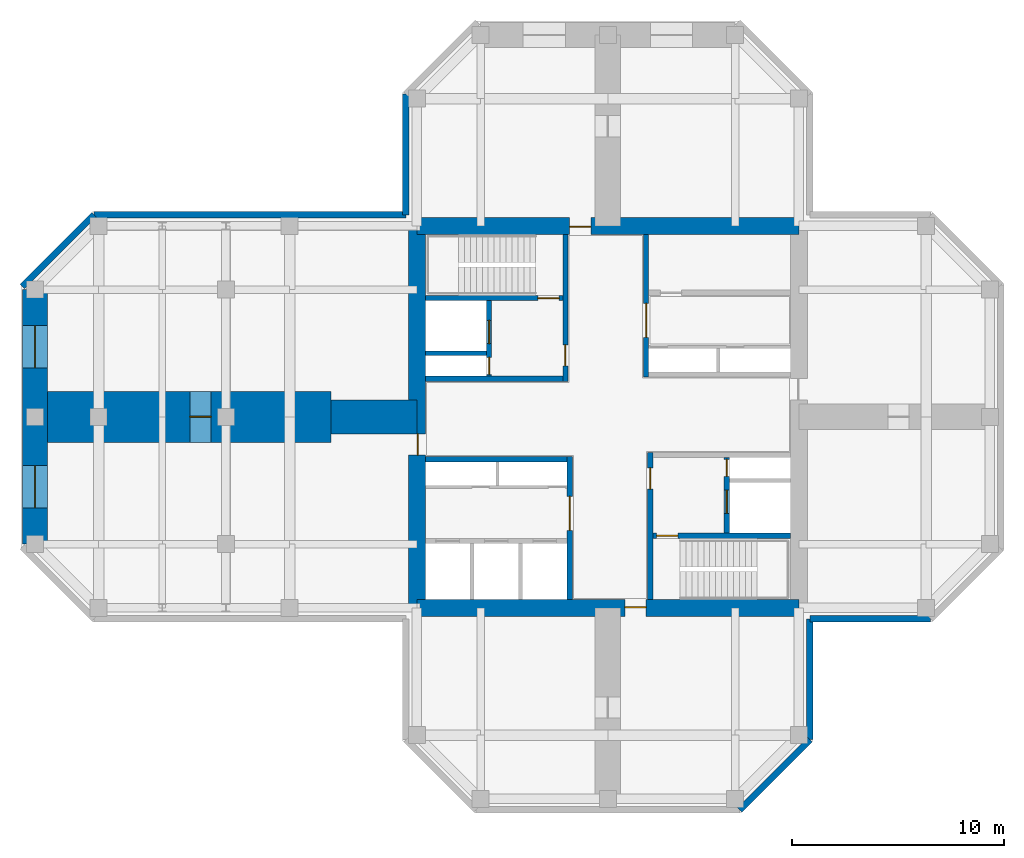
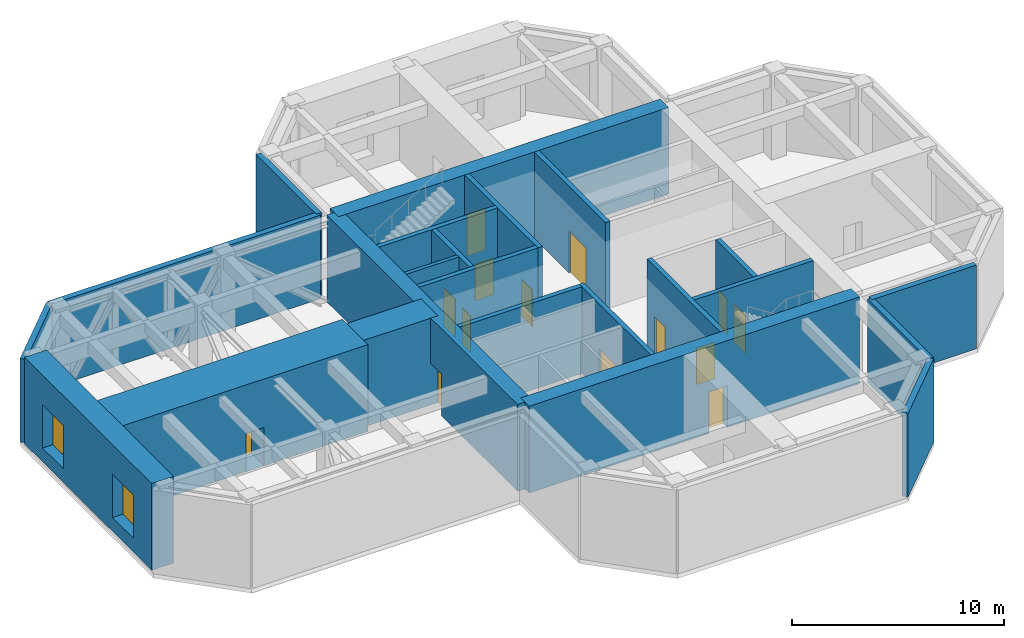
# One storey, part 4 of 6: 23 walls, 14 doors, 2 windows, 16 openings.
"""IFC4 building model written with IfcOpenShell, lengths in metres."""

from ifc_helpers import new_model, si_unit, direction, frame, frame_2d, origin, place, context, subcontext, project, spatial, rectangle, hollow_rectangle, extrude, material, layer, layer_set, constituent, constituent_set, type_object, element, fill, save


model = new_model("IFC4")

# Units and contexts
model_context = context("Model", 3, precision=1e-05, world=origin(), true_north=direction((0.0, 1.0)))
body_context = subcontext(model_context, "Body", "Model", "MODEL_VIEW")
ifc_project = project(units=[si_unit("LENGTHUNIT", "METRE"), si_unit("AREAUNIT", "SQUARE_METRE"), si_unit("VOLUMEUNIT", "CUBIC_METRE"), si_unit("PLANEANGLEUNIT", "RADIAN"), si_unit("MASSUNIT", "GRAM", prefix="KILO")], contexts=[model_context])

# Site, building, storey
site_placement = place(None, origin())
site = spatial("IfcSite", under=ifc_project, at=site_placement, CompositionType="ELEMENT")
building_placement = place(site_placement, origin())
building = spatial("IfcBuilding", under=site, at=building_placement, Name="Torre Cruceta", CompositionType="ELEMENT")
storey_placement = place(building_placement, frame((0.0, 0.0, 252.699951171875)))
storey = spatial("IfcBuildingStorey", under=building, at=storey_placement, Name="L65", CompositionType="ELEMENT", Elevation=252.699951171875)

# Wall, opening, door
ifc_material_1 = material(Name="Concrete G60 (fck 60 MPa)", Category="concrete")
ifc_layer_1 = layer(ifc_material_1, 0.25)
ifc_layer_set_1 = layer_set([ifc_layer_1], Name="Concrete G60 (fck 60 MPa)")
wall_type_1 = type_object("IfcWallType", Name="CORE INNER WALL 250 G60", PredefinedType="SHEAR", material=ifc_layer_set_1)
wall_1_placement = place(storey_placement, frame((1.800048828125, 1.875, 0.0), z_axis=(0.0, 0.0, 1.0), x_axis=(0.0, 1.0, 0.0)))
wall_1 = element("IfcWall", 1, at=wall_1_placement, inside=storey, type_object=wall_type_1, Name="CW4 L65 NE-CU", PredefinedType="SHEAR", context=body_context, shape_type="SweptSolid", body=[
    extrude(rectangle(XDim=6.72509765625, YDim=0.25, at=frame_2d((3.362548828125, 0.0))), origin(), (0.0, 0.0, 1.0), 5.0),
])
opening_1_placement = place(wall_1_placement, frame((1.875, 0.0, 0.0)))
opening_1 = element("IfcOpeningElement", 2, at=opening_1_placement, cuts=wall_1, Name="Opening D15", PredefinedType="OPENING", context=body_context, shape_type="SweptSolid", body=[
    extrude(rectangle(XDim=1.60009765625, YDim=2.39990234375, at=frame_2d((0.800048828125, 1.199951171875))), frame((0.0, 0.135009765625, 0.0), z_axis=(0.0, -1.0, 0.0), x_axis=(1.0, 0.0, 0.0)), (0.0, 0.0, 1.0), 0.27001953125),
])
ifc_material_2 = material(Name="Steel DX51D", Category="steel")
ifc_constituent_1 = constituent(ifc_material_2, Name="Leaf and frame")
ifc_material_3 = material(Name="Polyester powder coating", Category="paint")
ifc_constituent_2 = constituent(ifc_material_3, Name="Finish")
ifc_constituent_set_1 = constituent_set(constituents=[ifc_constituent_1, ifc_constituent_2], Name="Steel fire door")
door_type_1 = type_object("IfcDoorType", Name="CORE ROOM DOUBLE DOOR 1600X2400", OperationType="DOUBLE_DOOR_SINGLE_SWING", PredefinedType="DOOR", material=ifc_constituent_set_1)
door_1_placement = place(opening_1_placement, frame((1.60009765625, 0.0, 0.0), z_axis=(0.0, 0.0, 1.0), x_axis=(-1.0, 0.0, 0.0)))
door_1 = element("IfcDoor", 3, at=door_1_placement, inside=storey, type_object=door_type_1, Name="D15 L65 NE-LOBBY", OperationType="DOUBLE_DOOR_SINGLE_SWING", OverallHeight=2.39990234375, OverallWidth=1.60009765625, PredefinedType="DOOR", context=body_context, shape_type="SweptSolid", body=[
    extrude(rectangle(XDim=1.60009765625, YDim=2.39990234375, at=frame_2d((0.800048828125, 1.199951171875))), frame((0.0, 0.025146484375, 0.0), z_axis=(0.0, -1.0, 0.0), x_axis=(1.0, 0.0, 0.0)), (0.0, 0.0, 1.0), 0.050048828125),
])
fill(opening_1, door_1)

wall_2_placement = place(storey_placement, frame((-2.0, 1.675048828125, 0.0), z_axis=(0.0, 0.0, 1.0), x_axis=(0.0, 1.0, 0.0)))
wall_2 = element("IfcWall", 4, at=wall_2_placement, inside=storey, type_object=wall_type_1, Name="CW4 L65 NW-CU", PredefinedType="SHEAR", context=body_context, shape_type="SweptSolid", body=[
    extrude(rectangle(XDim=6.925048828125, YDim=0.25, at=frame_2d((3.46240234375, 0.0))), origin(), (0.0, 0.0, 1.0), 5.0),
])
opening_2_placement = place(wall_2_placement, frame((0.72509765625, 0.0, 0.0)))
opening_2 = element("IfcOpeningElement", 5, at=opening_2_placement, cuts=wall_2, Name="Opening D3", PredefinedType="OPENING", context=body_context, shape_type="SweptSolid", body=[
    extrude(rectangle(XDim=1.0, YDim=2.10009765625, at=frame_2d((0.5, 1.050048828125))), frame((0.0, 0.135009765625, 0.0), z_axis=(0.0, -1.0, 0.0), x_axis=(1.0, 0.0, 0.0)), (0.0, 0.0, 1.0), 0.27001953125),
])
ifc_material_4 = material(Name="Steel DX51D", Category="steel")
ifc_constituent_3 = constituent(ifc_material_4, Name="Leaf and frame")
ifc_material_5 = material(Name="Polyester powder coating", Category="paint")
ifc_constituent_4 = constituent(ifc_material_5, Name="Finish")
ifc_constituent_set_2 = constituent_set(constituents=[ifc_constituent_3, ifc_constituent_4], Name="Steel fire door")
door_type_2 = type_object("IfcDoorType", Name="FIRE DOOR 1000X2100", OperationType="SINGLE_SWING_LEFT", PredefinedType="DOOR", material=ifc_constituent_set_2)
door_2_placement = place(opening_2_placement, origin())
door_2 = element("IfcDoor", 6, at=door_2_placement, inside=storey, type_object=door_type_2, Name="D3 L65 NW-LOBBY", OperationType="SINGLE_SWING_LEFT", OverallHeight=2.10009765625, OverallWidth=1.0, PredefinedType="DOOR", context=body_context, shape_type="SweptSolid", body=[
    extrude(rectangle(XDim=1.0, YDim=2.10009765625, at=frame_2d((0.5, 1.050048828125))), frame((0.0, 0.02490234375, 0.0), z_axis=(0.0, -1.0, 0.0), x_axis=(1.0, 0.0, 0.0)), (0.0, 0.0, 1.0), 0.050048828125),
])
fill(opening_2, door_2)

# Wall
wall_3_placement = place(storey_placement, frame((-2.125, 1.800048828125, 0.0), z_axis=(0.0, 0.0, 1.0), x_axis=(-1.0, 0.0, 0.0)))
element("IfcWall", 7, at=wall_3_placement, inside=storey, type_object=wall_type_1, Name="CW4 L65 NW-CV", PredefinedType="SHEAR", context=body_context, shape_type="SweptSolid", body=[
    extrude(rectangle(XDim=6.47509765625, YDim=0.25, at=frame_2d((3.237548828125, 0.0))), origin(), (0.0, 0.0, 1.0), 5.0),
])

# Wall, opening, door
wall_4_placement = place(storey_placement, frame((-2.125, 5.60009765625, 0.0), z_axis=(0.0, 0.0, 1.0), x_axis=(-1.0, 0.0, 0.0)))
wall_4 = element("IfcWall", 8, at=wall_4_placement, inside=storey, type_object=wall_type_1, Name="CW4 L65 NW-SV", PredefinedType="SHEAR", context=body_context, shape_type="SweptSolid", body=[
    extrude(rectangle(XDim=6.47509765625, YDim=0.25, at=frame_2d((3.237548828125, 0.0))), origin(), (0.0, 0.0, 1.0), 5.0),
])
opening_3_placement = place(wall_4_placement, frame((0.175048828125, 0.0, 0.0)))
opening_3 = element("IfcOpeningElement", 9, at=opening_3_placement, cuts=wall_4, Name="Opening D3", PredefinedType="OPENING", context=body_context, shape_type="SweptSolid", body=[
    extrude(rectangle(XDim=1.0, YDim=2.10009765625, at=frame_2d((0.5, 1.050048828125))), frame((0.0, 0.135009765625, 0.0), z_axis=(0.0, -1.0, 0.0), x_axis=(1.0, 0.0, 0.0)), (0.0, 0.0, 1.0), 0.27001953125),
])
door_3_placement = place(opening_3_placement, frame((1.0, 0.0, 0.0), z_axis=(0.0, 0.0, 1.0), x_axis=(-1.0, 0.0, 0.0)))
door_3 = element("IfcDoor", 10, at=door_3_placement, inside=storey, type_object=door_type_2, Name="D3 L65 NW-STAIR", OperationType="SINGLE_SWING_RIGHT", OverallHeight=2.10009765625, OverallWidth=1.0, PredefinedType="DOOR", context=body_context, shape_type="SweptSolid", body=[
    extrude(rectangle(XDim=1.0, YDim=2.10009765625, at=frame_2d((0.5, 1.050048828125))), frame((0.0, 0.025146484375, 0.0), z_axis=(0.0, -1.0, 0.0), x_axis=(1.0, 0.0, 0.0)), (0.0, 0.0, 1.0), 0.050048828125),
])
fill(opening_3, door_3)

# Wall, openings, doors
wall_5_placement = place(storey_placement, frame((-5.60009765625, 1.925048828125, 0.0), z_axis=(0.0, 0.0, 1.0), x_axis=(0.0, 1.0, 0.0)))
wall_5 = element("IfcWall", 11, at=wall_5_placement, inside=storey, type_object=wall_type_1, Name="CW4 L65 NW-FU", PredefinedType="SHEAR", context=body_context, shape_type="SweptSolid", body=[
    extrude(rectangle(XDim=3.550048828125, YDim=0.25, at=frame_2d((1.77490234375, 0.0))), origin(), (0.0, 0.0, 1.0), 5.0),
])
opening_4_placement = place(wall_5_placement, frame((1.52490234375, 0.0, 0.0)))
opening_4 = element("IfcOpeningElement", 12, at=opening_4_placement, cuts=wall_5, Name="Opening LD1", PredefinedType="OPENING", context=body_context, shape_type="SweptSolid", body=[
    extrude(rectangle(XDim=1.10009765625, YDim=2.199951171875, at=frame_2d((0.550048828125, 1.10009765625))), frame((0.0, 0.135009765625, 0.0), z_axis=(0.0, -1.0, 0.0), x_axis=(1.0, 0.0, 0.0)), (0.0, 0.0, 1.0), 0.27001953125),
])
opening_5_placement = place(wall_5_placement, frame((0.074951171875, 0.0, 0.0)))
opening_5 = element("IfcOpeningElement", 13, at=opening_5_placement, cuts=wall_5, Name="Opening D5", PredefinedType="OPENING", context=body_context, shape_type="SweptSolid", body=[
    extrude(rectangle(XDim=0.800048828125, YDim=2.10009765625, at=frame_2d((0.39990234375, 1.050048828125))), frame((0.0, 0.135009765625, 0.0), z_axis=(0.0, -1.0, 0.0), x_axis=(1.0, 0.0, 0.0)), (0.0, 0.0, 1.0), 0.27001953125),
])
ifc_material_6 = material(Name="Stainless steel 1.4401", Category="steel")
door_type_3 = type_object("IfcDoorType", Name="LIFT LANDING DOOR 1100X2200", OperationType="DOUBLE_DOOR_SLIDING", PredefinedType="DOOR", material=ifc_material_6)
door_4_placement = place(opening_4_placement, origin())
door_4 = element("IfcDoor", 14, at=door_4_placement, inside=storey, type_object=door_type_3, Name="Lift landing door FL1", OperationType="DOUBLE_DOOR_SLIDING", OverallHeight=2.199951171875, OverallWidth=1.10009765625, PredefinedType="DOOR", context=body_context, shape_type="SweptSolid", body=[
    extrude(rectangle(XDim=1.10009765625, YDim=2.199951171875, at=frame_2d((0.550048828125, 1.10009765625))), frame((0.0, 0.02490234375, 0.0), z_axis=(0.0, -1.0, 0.0), x_axis=(1.0, 0.0, 0.0)), (0.0, 0.0, 1.0), 0.050048828125),
])
fill(opening_4, door_4)
ifc_material_7 = material(Name="Steel DX51D", Category="steel")
ifc_constituent_5 = constituent(ifc_material_7, Name="Leaf and frame")
ifc_material_8 = material(Name="Polyester powder coating", Category="paint")
ifc_constituent_6 = constituent(ifc_material_8, Name="Finish")
ifc_constituent_set_3 = constituent_set(constituents=[ifc_constituent_5, ifc_constituent_6], Name="Steel fire door")
door_type_4 = type_object("IfcDoorType", Name="RISER ACCESS DOOR 800X2100", OperationType="SINGLE_SWING_LEFT", PredefinedType="DOOR", material=ifc_constituent_set_3)
door_5_placement = place(opening_5_placement, origin())
door_5 = element("IfcDoor", 15, at=door_5_placement, inside=storey, type_object=door_type_4, Name="D5 L65 NW-RISER", OperationType="SINGLE_SWING_LEFT", OverallHeight=2.10009765625, OverallWidth=0.800048828125, PredefinedType="DOOR", context=body_context, shape_type="SweptSolid", body=[
    extrude(rectangle(XDim=0.800048828125, YDim=2.10009765625, at=frame_2d((0.39990234375, 1.050048828125))), frame((0.0, 0.02490234375, 0.0), z_axis=(0.0, -1.0, 0.0), x_axis=(1.0, 0.0, 0.0)), (0.0, 0.0, 1.0), 0.050048828125),
])
fill(opening_5, door_5)

# Wall, opening, door
wall_6_placement = place(storey_placement, frame((-1.800048828125, -1.875, 0.0), z_axis=(0.0, 0.0, 1.0), x_axis=(0.0, -1.0, 0.0)))
wall_6 = element("IfcWall", 16, at=wall_6_placement, inside=storey, type_object=wall_type_1, Name="CW4 L65 SW-CU", PredefinedType="SHEAR", context=body_context, shape_type="SweptSolid", body=[
    extrude(rectangle(XDim=6.72509765625, YDim=0.25, at=frame_2d((3.362548828125, 0.0))), origin(), (0.0, 0.0, 1.0), 5.0),
])
opening_6_placement = place(wall_6_placement, frame((1.875, 0.0, 0.0)))
opening_6 = element("IfcOpeningElement", 17, at=opening_6_placement, cuts=wall_6, Name="Opening D8", PredefinedType="OPENING", context=body_context, shape_type="SweptSolid", body=[
    extrude(rectangle(XDim=1.60009765625, YDim=2.39990234375, at=frame_2d((0.800048828125, 1.199951171875))), frame((0.0, 0.135009765625, 0.0), z_axis=(0.0, -1.0, 0.0), x_axis=(1.0, 0.0, 0.0)), (0.0, 0.0, 1.0), 0.27001953125),
])
ifc_material_9 = material(Name="Steel DX51D", Category="steel")
ifc_constituent_7 = constituent(ifc_material_9, Name="Leaf and frame")
ifc_material_10 = material(Name="Polyester powder coating", Category="paint")
ifc_constituent_8 = constituent(ifc_material_10, Name="Finish")
ifc_material_11 = material(Name="Fire-resisting glass", Category="glass")
ifc_constituent_9 = constituent(ifc_material_11, Name="Vision panel")
ifc_constituent_set_4 = constituent_set(constituents=[ifc_constituent_7, ifc_constituent_8, ifc_constituent_9], Name="Steel fire door with vision panels")
door_type_5 = type_object("IfcDoorType", Name="LIFT LOBBY DOUBLE DOOR 1600X2400", OperationType="DOUBLE_DOOR_DOUBLE_SWING", PredefinedType="DOOR", material=ifc_constituent_set_4)
door_6_placement = place(opening_6_placement, origin())
door_6 = element("IfcDoor", 18, at=door_6_placement, inside=storey, type_object=door_type_5, Name="D8 L65 SW-LOBBY", OperationType="DOUBLE_DOOR_DOUBLE_SWING", OverallHeight=2.39990234375, OverallWidth=1.60009765625, PredefinedType="DOOR", context=body_context, shape_type="SweptSolid", body=[
    extrude(rectangle(XDim=1.60009765625, YDim=2.39990234375, at=frame_2d((0.800048828125, 1.199951171875))), frame((0.0, 0.02490234375, 0.0), z_axis=(0.0, -1.0, 0.0), x_axis=(1.0, 0.0, 0.0)), (0.0, 0.0, 1.0), 0.050048828125),
])
fill(opening_6, door_6)

# Wall
wall_7_placement = place(storey_placement, frame((-1.925048828125, -2.0, 0.0), z_axis=(0.0, 0.0, 1.0), x_axis=(-1.0, 0.0, 0.0)))
element("IfcWall", 19, at=wall_7_placement, inside=storey, type_object=wall_type_1, Name="CW4 L65 SW-CV", PredefinedType="SHEAR", context=body_context, shape_type="SweptSolid", body=[
    extrude(rectangle(XDim=6.675048828125, YDim=0.25, at=frame_2d((3.33740234375, 0.0))), origin(), (0.0, 0.0, 1.0), 5.0),
])

# Wall, opening, door
wall_8_placement = place(storey_placement, frame((2.0, -1.675048828125, 0.0), z_axis=(0.0, 0.0, 1.0), x_axis=(0.0, -1.0, 0.0)))
wall_8 = element("IfcWall", 20, at=wall_8_placement, inside=storey, type_object=wall_type_1, Name="CW4 L65 SE-CU", PredefinedType="SHEAR", context=body_context, shape_type="SweptSolid", body=[
    extrude(rectangle(XDim=6.925048828125, YDim=0.25, at=frame_2d((3.46240234375, 0.0))), origin(), (0.0, 0.0, 1.0), 5.0),
])
opening_7_placement = place(wall_8_placement, frame((0.72509765625, 0.0, 0.0)))
opening_7 = element("IfcOpeningElement", 21, at=opening_7_placement, cuts=wall_8, Name="Opening D3", PredefinedType="OPENING", context=body_context, shape_type="SweptSolid", body=[
    extrude(rectangle(XDim=1.0, YDim=2.10009765625, at=frame_2d((0.5, 1.050048828125))), frame((0.0, 0.135009765625, 0.0), z_axis=(0.0, -1.0, 0.0), x_axis=(1.0, 0.0, 0.0)), (0.0, 0.0, 1.0), 0.27001953125),
])
door_7_placement = place(opening_7_placement, origin())
door_7 = element("IfcDoor", 22, at=door_7_placement, inside=storey, type_object=door_type_2, Name="D3 L65 SE-LOBBY", OperationType="SINGLE_SWING_LEFT", OverallHeight=2.10009765625, OverallWidth=1.0, PredefinedType="DOOR", context=body_context, shape_type="SweptSolid", body=[
    extrude(rectangle(XDim=1.0, YDim=2.10009765625, at=frame_2d((0.5, 1.050048828125))), frame((0.0, 0.02490234375, 0.0), z_axis=(0.0, -1.0, 0.0), x_axis=(1.0, 0.0, 0.0)), (0.0, 0.0, 1.0), 0.050048828125),
])
fill(opening_7, door_7)

wall_9_placement = place(storey_placement, frame((2.125, -5.60009765625, 0.0), z_axis=(0.0, 0.0, 1.0), x_axis=(1.0, 0.0, 0.0)))
wall_9 = element("IfcWall", 23, at=wall_9_placement, inside=storey, type_object=wall_type_1, Name="CW4 L65 SE-SV", PredefinedType="SHEAR", context=body_context, shape_type="SweptSolid", body=[
    extrude(rectangle(XDim=6.47509765625, YDim=0.25, at=frame_2d((3.237548828125, 0.0))), origin(), (0.0, 0.0, 1.0), 5.0),
])
opening_8_placement = place(wall_9_placement, frame((0.175048828125, 0.0, 0.0)))
opening_8 = element("IfcOpeningElement", 24, at=opening_8_placement, cuts=wall_9, Name="Opening D3", PredefinedType="OPENING", context=body_context, shape_type="SweptSolid", body=[
    extrude(rectangle(XDim=1.0, YDim=2.10009765625, at=frame_2d((0.5, 1.050048828125))), frame((0.0, 0.135009765625, 0.0), z_axis=(0.0, -1.0, 0.0), x_axis=(1.0, 0.0, 0.0)), (0.0, 0.0, 1.0), 0.27001953125),
])
door_8_placement = place(opening_8_placement, frame((1.0, 0.0, 0.0), z_axis=(0.0, 0.0, 1.0), x_axis=(-1.0, 0.0, 0.0)))
door_8 = element("IfcDoor", 25, at=door_8_placement, inside=storey, type_object=door_type_2, Name="D3 L65 SE-STAIR", OperationType="SINGLE_SWING_RIGHT", OverallHeight=2.10009765625, OverallWidth=1.0, PredefinedType="DOOR", context=body_context, shape_type="SweptSolid", body=[
    extrude(rectangle(XDim=1.0, YDim=2.10009765625, at=frame_2d((0.5, 1.050048828125))), frame((0.0, 0.025146484375, 0.0), z_axis=(0.0, -1.0, 0.0), x_axis=(1.0, 0.0, 0.0)), (0.0, 0.0, 1.0), 0.050048828125),
])
fill(opening_8, door_8)

# Wall, openings, doors
wall_10_placement = place(storey_placement, frame((5.60009765625, -1.925048828125, 0.0), z_axis=(0.0, 0.0, 1.0), x_axis=(0.0, -1.0, 0.0)))
wall_10 = element("IfcWall", 26, at=wall_10_placement, inside=storey, type_object=wall_type_1, Name="CW4 L65 SE-FU", PredefinedType="SHEAR", context=body_context, shape_type="SweptSolid", body=[
    extrude(rectangle(XDim=3.550048828125, YDim=0.25, at=frame_2d((1.77490234375, 0.0))), origin(), (0.0, 0.0, 1.0), 5.0),
])
opening_9_placement = place(wall_10_placement, frame((1.52490234375, 0.0, 0.0)))
opening_9 = element("IfcOpeningElement", 27, at=opening_9_placement, cuts=wall_10, Name="Opening LD1", PredefinedType="OPENING", context=body_context, shape_type="SweptSolid", body=[
    extrude(rectangle(XDim=1.10009765625, YDim=2.199951171875, at=frame_2d((0.550048828125, 1.10009765625))), frame((0.0, 0.135009765625, 0.0), z_axis=(0.0, -1.0, 0.0), x_axis=(1.0, 0.0, 0.0)), (0.0, 0.0, 1.0), 0.27001953125),
])
opening_10_placement = place(wall_10_placement, frame((0.074951171875, 0.0, 0.0)))
opening_10 = element("IfcOpeningElement", 28, at=opening_10_placement, cuts=wall_10, Name="Opening D5", PredefinedType="OPENING", context=body_context, shape_type="SweptSolid", body=[
    extrude(rectangle(XDim=0.800048828125, YDim=2.10009765625, at=frame_2d((0.39990234375, 1.050048828125))), frame((0.0, 0.135009765625, 0.0), z_axis=(0.0, -1.0, 0.0), x_axis=(1.0, 0.0, 0.0)), (0.0, 0.0, 1.0), 0.27001953125),
])
door_9_placement = place(opening_9_placement, origin())
door_9 = element("IfcDoor", 29, at=door_9_placement, inside=storey, type_object=door_type_3, Name="Lift landing door FL2", OperationType="DOUBLE_DOOR_SLIDING", OverallHeight=2.199951171875, OverallWidth=1.10009765625, PredefinedType="DOOR", context=body_context, shape_type="SweptSolid", body=[
    extrude(rectangle(XDim=1.10009765625, YDim=2.199951171875, at=frame_2d((0.550048828125, 1.10009765625))), frame((0.0, 0.02490234375, 0.0), z_axis=(0.0, -1.0, 0.0), x_axis=(1.0, 0.0, 0.0)), (0.0, 0.0, 1.0), 0.050048828125),
])
fill(opening_9, door_9)
door_10_placement = place(opening_10_placement, origin())
door_10 = element("IfcDoor", 30, at=door_10_placement, inside=storey, type_object=door_type_4, Name="D5 L65 SE-RISER", OperationType="SINGLE_SWING_LEFT", OverallHeight=2.10009765625, OverallWidth=0.800048828125, PredefinedType="DOOR", context=body_context, shape_type="SweptSolid", body=[
    extrude(rectangle(XDim=0.800048828125, YDim=2.10009765625, at=frame_2d((0.39990234375, 1.050048828125))), frame((0.0, 0.02490234375, 0.0), z_axis=(0.0, -1.0, 0.0), x_axis=(1.0, 0.0, 0.0)), (0.0, 0.0, 1.0), 0.050048828125),
])
fill(opening_10, door_10)

# Wall, opening, door
ifc_material_12 = material(Name="Concrete G60 (fck 60 MPa)", Category="concrete")
ifc_layer_2 = layer(ifc_material_12, 0.800048828125)
ifc_layer_set_2 = layer_set([ifc_layer_2], Name="Concrete G60 (fck 60 MPa)")
wall_type_2 = type_object("IfcWallType", Name="CORE WALL 800 G60", PredefinedType="SHEAR", material=ifc_layer_set_2)
wall_11_placement = place(storey_placement, frame((9.0, 9.0, 0.0), z_axis=(0.0, 0.0, 1.0), x_axis=(-1.0, 0.0, 0.0)))
wall_11 = element("IfcWall", 31, at=wall_11_placement, inside=storey, type_object=wall_type_2, Name="CW3 L65 CW-N", PredefinedType="SHEAR", context=body_context, shape_type="SweptSolid", body=[
    extrude(rectangle(XDim=18.0, YDim=0.800048828125, at=frame_2d((9.0, 0.0))), origin(), (0.0, 0.0, 1.0), 5.0),
])
opening_11_placement = place(wall_11_placement, frame((9.800048828125, 0.0, 0.0)))
opening_11 = element("IfcOpeningElement", 32, at=opening_11_placement, cuts=wall_11, Name="Opening D4", PredefinedType="OPENING", context=body_context, shape_type="SweptSolid", body=[
    extrude(rectangle(XDim=1.0, YDim=2.39990234375, at=frame_2d((0.5, 1.199951171875))), frame((0.0, 0.409912109375, 0.0), z_axis=(0.0, -1.0, 0.0), x_axis=(1.0, 0.0, 0.0)), (0.0, 0.0, 1.0), 0.820068359375),
])
ifc_material_13 = material(Name="Steel DX51D", Category="steel")
ifc_constituent_10 = constituent(ifc_material_13, Name="Leaf and frame")
ifc_material_14 = material(Name="Polyester powder coating", Category="paint")
ifc_constituent_11 = constituent(ifc_material_14, Name="Finish")
ifc_constituent_set_5 = constituent_set(constituents=[ifc_constituent_10, ifc_constituent_11], Name="Steel fire door")
door_type_6 = type_object("IfcDoorType", Name="CORE ARM DOOR 1000X2400", OperationType="SINGLE_SWING_RIGHT", PredefinedType="DOOR", material=ifc_constituent_set_5)
door_11_placement = place(opening_11_placement, frame((1.0, 0.0, 0.0), z_axis=(0.0, 0.0, 1.0), x_axis=(-1.0, 0.0, 0.0)))
door_11 = element("IfcDoor", 33, at=door_11_placement, inside=storey, type_object=door_type_6, Name="D4 L65 CW-N", OperationType="SINGLE_SWING_RIGHT", OverallHeight=2.39990234375, OverallWidth=1.0, PredefinedType="DOOR", context=body_context, shape_type="SweptSolid", body=[
    extrude(rectangle(XDim=1.0, YDim=2.39990234375, at=frame_2d((0.5, 1.199951171875))), frame((0.0, -0.005126953125, 0.0), z_axis=(0.0, -1.0, 0.0), x_axis=(1.0, 0.0, 0.0)), (0.0, 0.0, 1.0), 0.050048828125),
])
fill(opening_11, door_11)

wall_12_placement = place(storey_placement, frame((-9.0, -9.0, 0.0), z_axis=(0.0, 0.0, 1.0), x_axis=(1.0, 0.0, 0.0)))
wall_12 = element("IfcWall", 34, at=wall_12_placement, inside=storey, type_object=wall_type_2, Name="CW3 L65 CW-S", PredefinedType="SHEAR", context=body_context, shape_type="SweptSolid", body=[
    extrude(rectangle(XDim=18.0, YDim=0.800048828125, at=frame_2d((9.0, 0.0))), origin(), (0.0, 0.0, 1.0), 5.0),
])
opening_12_placement = place(wall_12_placement, frame((9.800048828125, 0.0, 0.0)))
opening_12 = element("IfcOpeningElement", 35, at=opening_12_placement, cuts=wall_12, Name="Opening D4", PredefinedType="OPENING", context=body_context, shape_type="SweptSolid", body=[
    extrude(rectangle(XDim=1.0, YDim=2.39990234375, at=frame_2d((0.5, 1.199951171875))), frame((0.0, 0.409912109375, 0.0), z_axis=(0.0, -1.0, 0.0), x_axis=(1.0, 0.0, 0.0)), (0.0, 0.0, 1.0), 0.820068359375),
])
door_12_placement = place(opening_12_placement, frame((1.0, 0.0, 0.0), z_axis=(0.0, 0.0, 1.0), x_axis=(-1.0, 0.0, 0.0)))
door_12 = element("IfcDoor", 36, at=door_12_placement, inside=storey, type_object=door_type_6, Name="D4 L65 CW-S", OperationType="SINGLE_SWING_RIGHT", OverallHeight=2.39990234375, OverallWidth=1.0, PredefinedType="DOOR", context=body_context, shape_type="SweptSolid", body=[
    extrude(rectangle(XDim=1.0, YDim=2.39990234375, at=frame_2d((0.5, 1.199951171875))), frame((0.0, -0.005126953125, 0.0), z_axis=(0.0, -1.0, 0.0), x_axis=(1.0, 0.0, 0.0)), (0.0, 0.0, 1.0), 0.050048828125),
])
fill(opening_12, door_12)

wall_13_placement = place(storey_placement, frame((-9.0, 9.0, 0.0), z_axis=(0.0, 0.0, 1.0), x_axis=(0.0, -1.0, 0.0)))
wall_13 = element("IfcWall", 37, at=wall_13_placement, inside=storey, type_object=wall_type_2, Name="CW3 L65 CW-W", PredefinedType="SHEAR", context=body_context, shape_type="SweptSolid", body=[
    extrude(rectangle(XDim=18.0, YDim=0.800048828125, at=frame_2d((9.0, 0.0))), origin(), (0.0, 0.0, 1.0), 5.0),
])
opening_13_placement = place(wall_13_placement, frame((9.800048828125, 0.0, 0.0)))
opening_13 = element("IfcOpeningElement", 38, at=opening_13_placement, cuts=wall_13, Name="Opening D4", PredefinedType="OPENING", context=body_context, shape_type="SweptSolid", body=[
    extrude(rectangle(XDim=1.0, YDim=2.39990234375, at=frame_2d((0.5, 1.199951171875))), frame((0.0, 0.409912109375, 0.0), z_axis=(0.0, -1.0, 0.0), x_axis=(1.0, 0.0, 0.0)), (0.0, 0.0, 1.0), 0.820068359375),
])
door_13_placement = place(opening_13_placement, frame((1.0, 0.0, 0.0), z_axis=(0.0, 0.0, 1.0), x_axis=(-1.0, 0.0, 0.0)))
door_13 = element("IfcDoor", 39, at=door_13_placement, inside=storey, type_object=door_type_6, Name="D4 L65 CW-W", OperationType="SINGLE_SWING_RIGHT", OverallHeight=2.39990234375, OverallWidth=1.0, PredefinedType="DOOR", context=body_context, shape_type="SweptSolid", body=[
    extrude(rectangle(XDim=1.0, YDim=2.39990234375, at=frame_2d((0.5, 1.199951171875))), frame((0.0, -0.005126953125, 0.0), z_axis=(0.0, -1.0, 0.0), x_axis=(1.0, 0.0, 0.0)), (0.0, 0.0, 1.0), 0.050048828125),
])
fill(opening_13, door_13)

# Walls
ifc_material_15 = material(Name="Concrete G30 (fck 30 MPa)", Category="concrete")
ifc_layer_3 = layer(ifc_material_15, 0.300048828125)
ifc_layer_set_3 = layer_set([ifc_layer_3], Name="Concrete G30 (fck 30 MPa)")
wall_type_3 = type_object("IfcWallType", Name="EXPOSED CONCRETE FACADE WALL 300", PredefinedType="SOLIDWALL", material=ifc_layer_set_3)
for number, where, z_axis, x_axis, name in (
    (40, (9.52001953125, -9.52001953125, 0.0), (0.0, 0.0, 1.0), (1.0, 0.0, 0.0), "EW1 facade wall L65 E side 00"),
    (41, (-9.52001953125, 15.21533203125, 0.0), (0.0, 0.0, 1.0), (0.0, -1.0, 0.0), "EW1 facade wall L65 N side 09"),
):
    element("IfcWall", number, at=place(storey_placement, frame(where, z_axis=z_axis, x_axis=x_axis)), inside=storey, type_object=wall_type_3, Name=name, PredefinedType="SOLIDWALL", context=body_context, shape_type="SweptSolid", body=[
        extrude(rectangle(XDim=5.6953125, YDim=0.300048828125, at=frame_2d((2.84765625, 0.0))), origin(), (0.0, 0.0, 1.0), 4.820068359375),
    ])
wall_14_placement = place(storey_placement, frame((-9.52001953125, 9.52001953125, 0.0), z_axis=(0.0, 0.0, 1.0), x_axis=(-1.0, 0.0, 0.0)))
element("IfcWall", 42, at=wall_14_placement, inside=storey, type_object=wall_type_3, Name="EW1 facade wall L65 W side 10", PredefinedType="SOLIDWALL", context=body_context, shape_type="SweptSolid", body=[
    extrude(rectangle(XDim=14.6953125, YDim=0.300048828125, at=frame_2d((7.34765625, 0.0))), origin(), (0.0, 0.0, 1.0), 4.820068359375),
])
wall_15_placement = place(storey_placement, frame((-24.21533203125, 9.52001953125, 0.0), z_axis=(0.0, 0.0, 1.0), x_axis=(-0.707132283189, -0.707081278264, 0.0)))
element("IfcWall", 43, at=wall_15_placement, inside=storey, type_object=wall_type_3, Name="EW1 facade wall L65 W chamfer 11", PredefinedType="SOLIDWALL", context=body_context, shape_type="SweptSolid", body=[
    extrude(rectangle(XDim=4.78662109375, YDim=0.300048828125, at=frame_2d((2.393310546875, 0.0))), origin(), (0.0, 0.0, 1.0), 4.820068359375),
])
wall_16_placement = place(storey_placement, frame((6.21533203125, -18.52001953125, 0.0), z_axis=(0.0, 0.0, 1.0), x_axis=(0.707106781187, 0.707106781187, 0.0)))
element("IfcWall", 44, at=wall_16_placement, inside=storey, type_object=wall_type_3, Name="EW1 facade wall L65 S chamfer 18", PredefinedType="SOLIDWALL", context=body_context, shape_type="SweptSolid", body=[
    extrude(rectangle(XDim=4.673583984375, YDim=0.300048828125, at=frame_2d((2.3369140625, 0.0))), origin(), (0.0, 0.0, 1.0), 4.820068359375),
])
wall_17_placement = place(storey_placement, frame((9.52001953125, -15.21533203125, 0.0), z_axis=(0.0, 0.0, 1.0), x_axis=(0.0, 1.0, 0.0)))
element("IfcWall", 45, at=wall_17_placement, inside=storey, type_object=wall_type_3, Name="EW1 facade wall L65 S side 19", PredefinedType="SOLIDWALL", context=body_context, shape_type="SweptSolid", body=[
    extrude(rectangle(XDim=5.6953125, YDim=0.300048828125, at=frame_2d((2.84765625, 0.0))), origin(), (0.0, 0.0, 1.0), 4.820068359375),
])
ifc_material_16 = material(Name="Concrete G35 (fck 35 MPa)", Category="concrete")
ifc_layer_4 = layer(ifc_material_16, 0.199951171875)
ifc_layer_set_4 = layer_set([ifc_layer_4], Name="Concrete G35 (fck 35 MPa)")
wall_type_4 = type_object("IfcWallType", Name="LIFT SHAFT WALL 200", PredefinedType="PARTITIONING", material=ifc_layer_set_4)
wall_18_placement = place(storey_placement, frame((-5.72509765625, 3.0, 0.0), z_axis=(0.0, 0.0, 1.0), x_axis=(-1.0, 0.0, 0.0)))
element("IfcWall", 46, at=wall_18_placement, inside=storey, type_object=wall_type_4, Name="SW1 L65 NW-FR", PredefinedType="PARTITIONING", context=body_context, shape_type="SweptSolid", body=[
    extrude(rectangle(XDim=2.875, YDim=0.199951171875, at=frame_2d((1.4375, 0.0))), origin(), (0.0, 0.0, 1.0), 5.0),
])

# Wall, openings, windows
ifc_material_17 = material(Name="Concrete G60 (fck 60 MPa)", Category="concrete")
ifc_layer_5 = layer(ifc_material_17, 1.199951171875)
ifc_layer_set_5 = layer_set([ifc_layer_5], Name="Concrete G60 (fck 60 MPa)")
wall_type_5 = type_object("IfcWallType", Name="NOSE WALL 1200 G60", PredefinedType="SHEAR", material=ifc_layer_set_5)
wall_19_placement = place(storey_placement, frame((-27.0, 6.0, 0.0), z_axis=(0.0, 0.0, 1.0), x_axis=(0.0, -1.0, 0.0)))
wall_19 = element("IfcWall", 47, at=wall_19_placement, inside=storey, type_object=wall_type_5, Name="NW1 nose wall L65 W", PredefinedType="SHEAR", context=body_context, shape_type="SweptSolid", body=[
    extrude(rectangle(XDim=12.0, YDim=1.199951171875, at=frame_2d((6.0, 0.0))), origin(), (0.0, 0.0, 1.0), 5.0),
])
opening_14_placement = place(wall_19_placement, frame((1.699951171875, 0.0, 0.800048828125)))
opening_14 = element("IfcOpeningElement", 48, at=opening_14_placement, cuts=wall_19, Name="Opening WN3", PredefinedType="OPENING", context=body_context, shape_type="SweptSolid", body=[
    extrude(rectangle(XDim=2.0, YDim=2.5, at=frame_2d((1.0, 1.25))), frame((0.0, 0.60986328125, 0.0), z_axis=(0.0, -1.0, 0.0), x_axis=(1.0, 0.0, 0.0)), (0.0, 0.0, 1.0), 1.219970703125),
])
opening_15_placement = place(wall_19_placement, frame((8.300048828125, 0.0, 0.800048828125)))
opening_15 = element("IfcOpeningElement", 49, at=opening_15_placement, cuts=wall_19, Name="Opening WN3", PredefinedType="OPENING", context=body_context, shape_type="SweptSolid", body=[
    extrude(rectangle(XDim=2.0, YDim=2.5, at=frame_2d((1.0, 1.25))), frame((0.0, 0.60986328125, 0.0), z_axis=(0.0, -1.0, 0.0), x_axis=(1.0, 0.0, 0.0)), (0.0, 0.0, 1.0), 1.219970703125),
])
ifc_material_18 = material(Name="Aluminium window frame", Category="aluminium")
ifc_constituent_12 = constituent(ifc_material_18, Name="Frame")
ifc_material_19 = material(Name="Laminated insulating glass unit, low-iron clear", Category="glass")
ifc_constituent_13 = constituent(ifc_material_19, Name="Glazing")
ifc_constituent_set_6 = constituent_set(constituents=[ifc_constituent_12, ifc_constituent_13], Name="Aluminium window")
window_type = type_object("IfcWindowType", Name="PLANT LOUVRE 2000X2500", PartitioningType="SINGLE_PANEL", PredefinedType="WINDOW", material=ifc_constituent_set_6)
window_1_placement = place(opening_14_placement, origin())
window_1 = element("IfcWindow", 50, at=window_1_placement, inside=storey, type_object=window_type, Name="WN3 L65 W 1", OverallHeight=2.5, OverallWidth=2.0, PartitioningType="SINGLE_PANEL", PredefinedType="WINDOW", context=body_context, shape_type="SweptSolid", body=[
    extrude(hollow_rectangle(XDim=2.0, YDim=2.5, WallThickness=0.06005859375, at=frame_2d((1.0, 1.25))), frame((0.0, 0.030029296875, 0.0), z_axis=(0.0, -1.0, 0.0), x_axis=(1.0, 0.0, 0.0)), (0.0, 0.0, 1.0), 0.06005859375),
    extrude(rectangle(XDim=1.87890625, YDim=2.37890625, at=frame_2d((1.0, 1.25))), frame((0.0, 0.030029296875, 0.0), z_axis=(0.0, -1.0, 0.0), x_axis=(1.0, 0.0, 0.0)), (0.0, 0.0, 1.0), 0.06005859375),
])
fill(opening_14, window_1)
window_2_placement = place(opening_15_placement, origin())
window_2 = element("IfcWindow", 51, at=window_2_placement, inside=storey, type_object=window_type, Name="WN3 L65 W 2", OverallHeight=2.5, OverallWidth=2.0, PartitioningType="SINGLE_PANEL", PredefinedType="WINDOW", context=body_context, shape_type="SweptSolid", body=[
    extrude(hollow_rectangle(XDim=2.0, YDim=2.5, WallThickness=0.06005859375, at=frame_2d((1.0, 1.25))), frame((0.0, 0.030029296875, 0.0), z_axis=(0.0, -1.0, 0.0), x_axis=(1.0, 0.0, 0.0)), (0.0, 0.0, 1.0), 0.06005859375),
    extrude(rectangle(XDim=1.87890625, YDim=2.37890625, at=frame_2d((1.0, 1.25))), frame((0.0, 0.030029296875, 0.0), z_axis=(0.0, -1.0, 0.0), x_axis=(1.0, 0.0, 0.0)), (0.0, 0.0, 1.0), 0.06005859375),
])
fill(opening_15, window_2)

# Wall
ifc_material_20 = material(Name="Concrete G60 (fck 60 MPa)", Category="concrete")
ifc_layer_6 = layer(ifc_material_20, 1.60009765625)
ifc_layer_set_6 = layer_set([ifc_layer_6], Name="Concrete G60 (fck 60 MPa)")
wall_type_6 = type_object("IfcWallType", Name="SPINE WALL 1600 G60", PredefinedType="SHEAR", material=ifc_layer_set_6)
wall_20_placement = place(storey_placement, frame((-9.0, 0.0, 0.0), z_axis=(0.0, 0.0, 1.0), x_axis=(-1.0, 0.0, 0.0)))
element("IfcWall", 52, at=wall_20_placement, inside=storey, type_object=wall_type_6, Name="SW2 spine wall root L65 W", PredefinedType="SHEAR", context=body_context, shape_type="SweptSolid", body=[
    extrude(rectangle(XDim=4.050048828125, YDim=1.60009765625, at=frame_2d((2.02490234375, 0.0))), origin(), (0.0, 0.0, 1.0), 5.0),
])

# Wall, opening, door
ifc_material_21 = material(Name="Concrete G60 (fck 60 MPa)", Category="concrete")
ifc_layer_7 = layer(ifc_material_21, 2.39990234375)
ifc_layer_set_7 = layer_set([ifc_layer_7], Name="Concrete G60 (fck 60 MPa)")
wall_type_7 = type_object("IfcWallType", Name="SPINE WALL 2400 G60", PredefinedType="SHEAR", material=ifc_layer_set_7)
wall_21_placement = place(storey_placement, frame((-13.050048828125, 0.0, 0.0), z_axis=(0.0, 0.0, 1.0), x_axis=(-1.0, 0.0, 0.0)))
wall_21 = element("IfcWall", 53, at=wall_21_placement, inside=storey, type_object=wall_type_7, Name="SW0 spine wall L65 W", PredefinedType="SHEAR", context=body_context, shape_type="SweptSolid", body=[
    extrude(rectangle(XDim=13.949951171875, YDim=2.39990234375, at=frame_2d((6.97509765625, 0.0))), origin(), (0.0, 0.0, 1.0), 5.0),
])
opening_16_placement = place(wall_21_placement, frame((5.64990234375, 0.0, 0.0)))
opening_16 = element("IfcOpeningElement", 54, at=opening_16_placement, cuts=wall_21, Name="Opening D14", PredefinedType="OPENING", context=body_context, shape_type="SweptSolid", body=[
    extrude(rectangle(XDim=1.0, YDim=2.199951171875, at=frame_2d((0.5, 1.10009765625))), frame((0.0, 1.2099609375, 0.0), z_axis=(0.0, -1.0, 0.0), x_axis=(1.0, 0.0, 0.0)), (0.0, 0.0, 1.0), 2.419921875),
])
ifc_material_22 = material(Name="Steel DX51D", Category="steel")
ifc_constituent_14 = constituent(ifc_material_22, Name="Leaf and frame")
ifc_material_23 = material(Name="Polyester powder coating", Category="paint")
ifc_constituent_15 = constituent(ifc_material_23, Name="Finish")
ifc_material_24 = material(Name="Fire-resisting glass", Category="glass")
ifc_constituent_16 = constituent(ifc_material_24, Name="Vision panel")
ifc_constituent_set_7 = constituent_set(constituents=[ifc_constituent_14, ifc_constituent_15, ifc_constituent_16], Name="Steel fire door with vision panel")
door_type_7 = type_object("IfcDoorType", Name="FIRE DOOR VISION PANEL 1000X2200", OperationType="SINGLE_SWING_RIGHT", PredefinedType="DOOR", material=ifc_constituent_set_7)
door_14_placement = place(opening_16_placement, frame((1.0, 0.0, 0.0), z_axis=(0.0, 0.0, 1.0), x_axis=(-1.0, 0.0, 0.0)))
door_14 = element("IfcDoor", 55, at=door_14_placement, inside=storey, type_object=door_type_7, Name="D14 L65-W-SP1", OperationType="SINGLE_SWING_LEFT", OverallHeight=2.199951171875, OverallWidth=1.0, PredefinedType="DOOR", context=body_context, shape_type="SweptSolid", body=[
    extrude(rectangle(XDim=1.0, YDim=2.199951171875, at=frame_2d((0.5, 1.10009765625))), frame((0.0, 0.025146484375, 0.0), z_axis=(0.0, -1.0, 0.0), x_axis=(1.0, 0.0, 0.0)), (0.0, 0.0, 1.0), 0.050048828125),
])
fill(opening_16, door_14)

save(model, "model.ifc")
